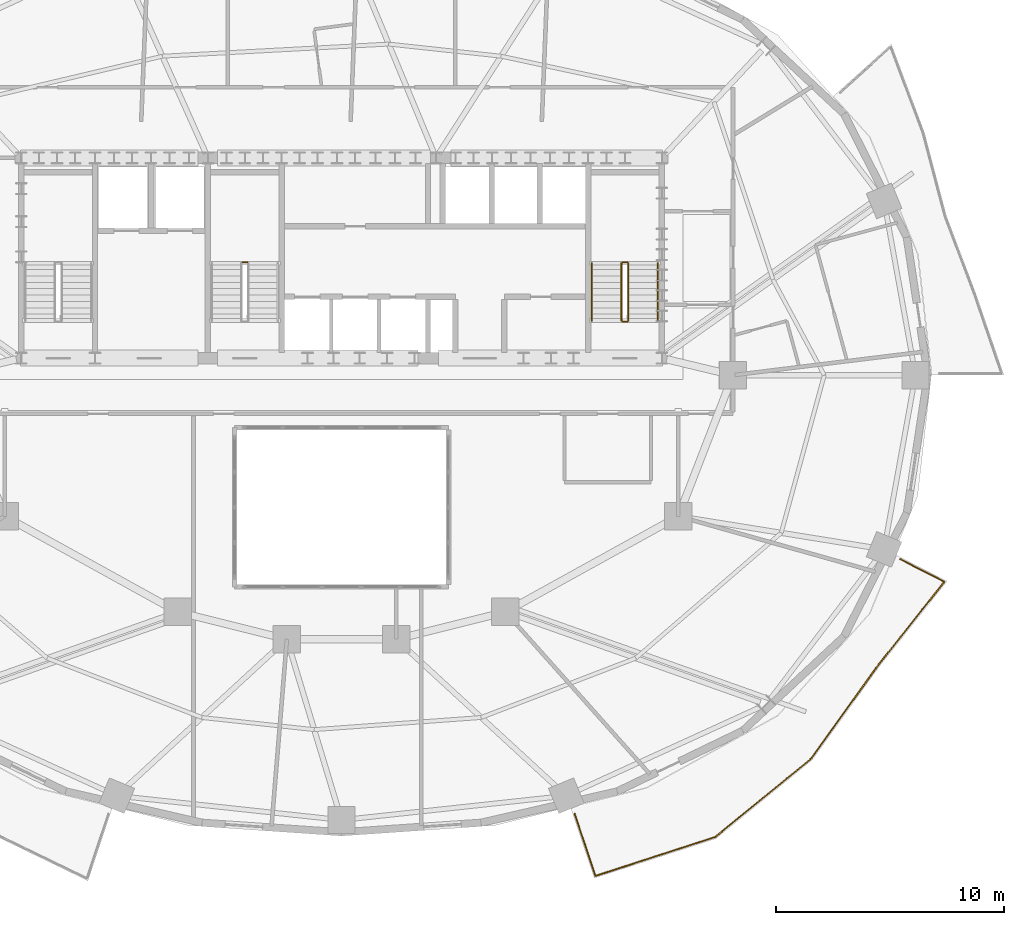
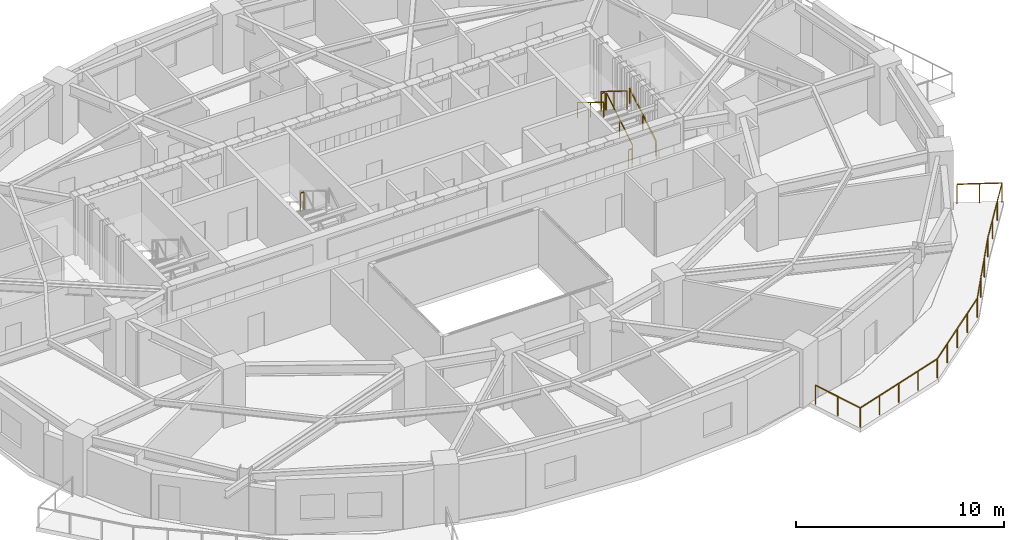
# One storey, part 12 of 13: 8 railings.
"""IFC4 building model written with IfcOpenShell, lengths in metres."""

from ifc_helpers import new_model, si_unit, direction, frame, origin, origin_2d, place, context, subcontext, project, spatial, rectangle, extrude, material, type_object, element, save


model = new_model("IFC4")

# Units and contexts
model_context = context("Model", 3, precision=1e-05, world=origin(), true_north=direction((0.0, 1.0)))
body_context = subcontext(model_context, "Body", "Model", "MODEL_VIEW")
ifc_project = project(units=[si_unit("LENGTHUNIT", "METRE"), si_unit("AREAUNIT", "SQUARE_METRE"), si_unit("VOLUMEUNIT", "CUBIC_METRE"), si_unit("PLANEANGLEUNIT", "RADIAN"), si_unit("MASSUNIT", "GRAM", prefix="KILO")], contexts=[model_context])

# Site, building, storey
site_placement = place(None, origin())
site = spatial("IfcSite", under=ifc_project, at=site_placement, CompositionType="ELEMENT")
building_placement = place(site_placement, origin())
building = spatial("IfcBuilding", under=site, at=building_placement, Name="Haldorwick Loom Tower", CompositionType="ELEMENT")
storey_placement = place(building_placement, frame((0.0, 0.0, 139.10009765625)))
storey = spatial("IfcBuildingStorey", under=building, at=storey_placement, Name="L37", CompositionType="ELEMENT", Elevation=139.10009765625)

# Railings
ifc_material_1 = material(Name="Galvanized Steel CSA G40.21 350W", Category="steel")
railing_type_1 = type_object("IfcRailingType", Name="ARC-RLG-BAL115", PredefinedType="BALUSTRADE", material=ifc_material_1)
railing_1_placement = place(storey_placement, frame((60.55322265625, 17.914306640625, 0.0)))
element("IfcRailing", 1, at=railing_1_placement, inside=storey, type_object=railing_type_1, Name="L37 Outdoor Terrace Guardrail SLB-L37-BAL_SE-1", PredefinedType="BALUSTRADE", context=body_context, shape_type="SweptSolid", body=[
    extrude(rectangle(XDim=0.048095703125, YDim=0.048095703125, at=origin_2d()), frame((0.0, 0.0, 1.1259765625), z_axis=(0.890002219109, -0.45595619305, 0.0), x_axis=(0.45595619305, 0.890002219109, 0.0)), (0.0, 0.0, 1.0), 2.1728515625),
    extrude(rectangle(XDim=0.048095703125, YDim=0.048095703125, at=origin_2d()), frame((1.933837890625, -0.99072265625, 1.1259765625), z_axis=(-0.621986182745, -0.783028216908, 0.0), x_axis=(0.783028216908, -0.621986182745, 0.0)), (0.0, 0.0, 1.0), 4.65576171875),
    extrude(rectangle(XDim=0.048095703125, YDim=0.048095703125, at=origin_2d()), frame((-0.9619140625, -4.63623046875, 1.1259765625), z_axis=(-0.60971076085, -0.792623989105, 0.0), x_axis=(0.792623989105, -0.60971076085, 0.0)), (0.0, 0.0, 1.0), 0.00390625),
    extrude(rectangle(XDim=0.048095703125, YDim=0.048095703125, at=origin_2d()), frame((-0.96435546875, -4.639404296875, 1.1259765625), z_axis=(-0.583373132525, -0.812204277413, 0.0), x_axis=(0.812204277413, -0.583373132525, 0.0)), (0.0, 0.0, 1.0), 5.090087890625),
    extrude(rectangle(XDim=0.048095703125, YDim=0.048095703125, at=origin_2d()), frame((-3.933837890625, -8.773681640625, 1.1259765625), z_axis=(-0.774794820107, -0.632212770145, 0.0), x_axis=(0.632212770145, -0.774794820107, 0.0)), (0.0, 0.0, 1.0), 5.424560546875),
    extrude(rectangle(XDim=0.048095703125, YDim=0.048095703125, at=origin_2d()), frame((-8.13671875, -12.203125, 1.1259765625), z_axis=(-0.951073621426, -0.308964345236, 0.0), x_axis=(0.308964345236, -0.951073621426, 0.0)), (0.0, 0.0, 1.0), 5.532958984375),
    extrude(rectangle(XDim=0.048095703125, YDim=0.048095703125, at=origin_2d()), frame((-13.39892578125, -13.91259765625, 1.1259765625), z_axis=(-0.316839129374, 0.948479291338, 0.0), x_axis=(-0.948479291338, -0.316839129374, 0.0)), (0.0, 0.0, 1.0), 2.875),
    extrude(rectangle(XDim=0.0419921875, YDim=0.0419921875, at=origin_2d()), origin(), (0.0, 0.0, 1.0), 1.101806640625),
    extrude(rectangle(XDim=0.0419921875, YDim=0.0419921875, at=origin_2d()), frame((0.966796875, -0.495361328125, 0.0)), (0.0, 0.0, 1.0), 1.101806640625),
    extrude(rectangle(XDim=0.0419921875, YDim=0.0419921875, at=origin_2d()), frame((1.933837890625, -0.99072265625, 0.0)), (0.0, 0.0, 1.0), 1.101806640625),
    extrude(rectangle(XDim=0.0419921875, YDim=0.0419921875, at=origin_2d()), frame((0.968505859375, -2.205810546875, 0.0)), (0.0, 0.0, 1.0), 1.101806640625),
    extrude(rectangle(XDim=0.0419921875, YDim=0.0419921875, at=origin_2d()), frame((0.00341796875, -3.421142578125, 0.0)), (0.0, 0.0, 1.0), 1.101806640625),
    extrude(rectangle(XDim=0.0419921875, YDim=0.0419921875, at=origin_2d()), frame((-0.9619140625, -4.63623046875, 0.0)), (0.0, 0.0, 1.0), 1.101806640625),
    extrude(rectangle(XDim=0.0419921875, YDim=0.0419921875, at=origin_2d()), frame((-1.9541015625, -6.017578125, 0.0)), (0.0, 0.0, 1.0), 1.101806640625),
    extrude(rectangle(XDim=0.0419921875, YDim=0.0419921875, at=origin_2d()), frame((-2.944091796875, -7.3955078125, 0.0)), (0.0, 0.0, 1.0), 1.101806640625),
    extrude(rectangle(XDim=0.0419921875, YDim=0.0419921875, at=origin_2d()), frame((-3.933837890625, -8.773681640625, 0.0)), (0.0, 0.0, 1.0), 1.101806640625),
    extrude(rectangle(XDim=0.0419921875, YDim=0.0419921875, at=origin_2d()), frame((-4.984619140625, -9.631103515625, 0.0)), (0.0, 0.0, 1.0), 1.101806640625),
    extrude(rectangle(XDim=0.0419921875, YDim=0.0419921875, at=origin_2d()), frame((-6.03515625, -10.48828125, 0.0)), (0.0, 0.0, 1.0), 1.101806640625),
    extrude(rectangle(XDim=0.0419921875, YDim=0.0419921875, at=origin_2d()), frame((-7.0859375, -11.345703125, 0.0)), (0.0, 0.0, 1.0), 1.101806640625),
    extrude(rectangle(XDim=0.0419921875, YDim=0.0419921875, at=origin_2d()), frame((-8.13671875, -12.203125, 0.0)), (0.0, 0.0, 1.0), 1.101806640625),
    extrude(rectangle(XDim=0.0419921875, YDim=0.0419921875, at=origin_2d()), frame((-9.4521484375, -12.63037109375, 0.0)), (0.0, 0.0, 1.0), 1.101806640625),
    extrude(rectangle(XDim=0.0419921875, YDim=0.0419921875, at=origin_2d()), frame((-10.767822265625, -13.057861328125, 0.0)), (0.0, 0.0, 1.0), 1.101806640625),
    extrude(rectangle(XDim=0.0419921875, YDim=0.0419921875, at=origin_2d()), frame((-12.08349609375, -13.4853515625, 0.0)), (0.0, 0.0, 1.0), 1.101806640625),
    extrude(rectangle(XDim=0.0419921875, YDim=0.0419921875, at=origin_2d()), frame((-13.39892578125, -13.91259765625, 0.0)), (0.0, 0.0, 1.0), 1.101806640625),
    extrude(rectangle(XDim=0.0419921875, YDim=0.0419921875, at=origin_2d()), frame((-13.8544921875, -12.54931640625, 0.0)), (0.0, 0.0, 1.0), 1.101806640625),
    extrude(rectangle(XDim=0.0419921875, YDim=0.0419921875, at=origin_2d()), frame((-14.309814453125, -11.185791015625, 0.0)), (0.0, 0.0, 1.0), 1.101806640625),
])
ifc_material_2 = material(Name="Steel CSA G40.21 350W", Category="steel")
railing_type_2 = type_object("IfcRailingType", Name="ARC-RLG-GUARD112", PredefinedType="GUARDRAIL", material=ifc_material_2)
railing_2_placement = place(storey_placement, frame((48.60009765625, 28.39990234375, 0.17236328125)))
element("IfcRailing", 2, at=railing_2_placement, inside=storey, type_object=railing_type_2, Name="L37 ST-02 stair guard 1", PredefinedType="GUARDRAIL", context=body_context, shape_type="SweptSolid", body=[
    extrude(rectangle(XDim=0.048095703125, YDim=0.048095703125, at=origin_2d()), frame((0.0, 0.0, 1.076171875), z_axis=(0.0, 0.851400495292, 0.524516154772), x_axis=(-1.0, 0.0, 0.0)), (0.0, 0.0, 1.0), 2.9599609375),
    extrude(rectangle(XDim=0.0419921875, YDim=0.0419921875, at=origin_2d()), origin(), (0.0, 0.0, 1.0), 1.052001953125),
    extrude(rectangle(XDim=0.0419921875, YDim=0.0419921875, at=origin_2d()), frame((0.0, 1.260009765625, 0.7763671875)), (0.0, 0.0, 1.0), 1.052001953125),
    extrude(rectangle(XDim=0.0419921875, YDim=0.0419921875, at=origin_2d()), frame((0.0, 2.52001953125, 1.552490234375)), (0.0, 0.0, 1.0), 1.052001953125),
])
railing_3_placement = place(storey_placement, frame((48.550048828125, 30.969970703125, 1.724853515625)))
element("IfcRailing", 3, at=railing_3_placement, inside=storey, type_object=railing_type_2, Name="L37 ST-02 stair guard 2", PredefinedType="GUARDRAIL", context=body_context, shape_type="SweptSolid", body=[
    extrude(rectangle(XDim=0.048095703125, YDim=0.048095703125, at=origin_2d()), frame((0.0, 0.0, 1.076171875), z_axis=(-1.0, 0.0, 0.0), x_axis=(0.0, -1.0, 0.0)), (0.0, 0.0, 1.0), 0.199951171875),
    extrude(rectangle(XDim=0.0419921875, YDim=0.0419921875, at=origin_2d()), origin(), (0.0, 0.0, 1.0), 1.052001953125),
    extrude(rectangle(XDim=0.0419921875, YDim=0.0419921875, at=origin_2d()), frame((-0.199951171875, 0.0, 0.0)), (0.0, 0.0, 1.0), 1.052001953125),
])
railing_4_placement = place(storey_placement, frame((48.300048828125, 30.919921875, 1.8974609375)))
element("IfcRailing", 4, at=railing_4_placement, inside=storey, type_object=railing_type_2, Name="L37 ST-02 stair guard 3", PredefinedType="GUARDRAIL", context=body_context, shape_type="SweptSolid", body=[
    extrude(rectangle(XDim=0.048095703125, YDim=0.048095703125, at=origin_2d()), frame((0.0, 0.0, 1.076171875), z_axis=(0.0, -0.851400495292, 0.524516154772), x_axis=(1.0, 0.0, 0.0)), (0.0, 0.0, 1.0), 2.9599609375),
    extrude(rectangle(XDim=0.0419921875, YDim=0.0419921875, at=origin_2d()), origin(), (0.0, 0.0, 1.0), 1.052001953125),
    extrude(rectangle(XDim=0.0419921875, YDim=0.0419921875, at=origin_2d()), frame((0.0, -1.260009765625, 0.7763671875)), (0.0, 0.0, 1.0), 1.052001953125),
    extrude(rectangle(XDim=0.0419921875, YDim=0.0419921875, at=origin_2d()), frame((0.0, -2.52001953125, 1.552490234375)), (0.0, 0.0, 1.0), 1.052001953125),
])
railing_5_placement = place(storey_placement, frame((48.550048828125, 28.35009765625, 0.0)))
element("IfcRailing", 5, at=railing_5_placement, inside=storey, type_object=railing_type_2, Name="L37 ST-02 stair guard 4", PredefinedType="GUARDRAIL", context=body_context, shape_type="SweptSolid", body=[
    extrude(rectangle(XDim=0.048095703125, YDim=0.048095703125, at=origin_2d()), frame((0.0, 0.0, 1.076171875), z_axis=(-1.0, 0.0, 0.0), x_axis=(0.0, -1.0, 0.0)), (0.0, 0.0, 1.0), 0.199951171875),
    extrude(rectangle(XDim=0.0419921875, YDim=0.0419921875, at=origin_2d()), origin(), (0.0, 0.0, 1.0), 1.052001953125),
    extrude(rectangle(XDim=0.0419921875, YDim=0.0419921875, at=origin_2d()), frame((-0.199951171875, 0.0, 0.0)), (0.0, 0.0, 1.0), 1.052001953125),
])
railing_6_placement = place(storey_placement, frame((31.85009765625, 30.969970703125, 1.724853515625)))
element("IfcRailing", 6, at=railing_6_placement, inside=storey, type_object=railing_type_2, Name="L37 ST-03 stair guard 2", PredefinedType="GUARDRAIL", context=body_context, shape_type="SweptSolid", body=[
    extrude(rectangle(XDim=0.048095703125, YDim=0.048095703125, at=origin_2d()), frame((0.0, 0.0, 1.076171875), z_axis=(-1.0, 0.0, 0.0), x_axis=(0.0, -1.0, 0.0)), (0.0, 0.0, 1.0), 0.2001953125),
    extrude(rectangle(XDim=0.0419921875, YDim=0.0419921875, at=origin_2d()), origin(), (0.0, 0.0, 1.0), 1.052001953125),
    extrude(rectangle(XDim=0.0419921875, YDim=0.0419921875, at=origin_2d()), frame((-0.2001953125, 0.0, 0.0)), (0.0, 0.0, 1.0), 1.052001953125),
])
railing_type_3 = type_object("IfcRailingType", Name="ARC-RLG-HAND092", PredefinedType="HANDRAIL", material=ifc_material_2)
railing_7_placement = place(storey_placement, frame((49.89990234375, 28.39990234375, 0.17236328125)))
element("IfcRailing", 7, at=railing_7_placement, inside=storey, type_object=railing_type_3, Name="L37 ST-02 stair handrail 1", PredefinedType="HANDRAIL", context=body_context, shape_type="SweptSolid", body=[
    extrude(rectangle(XDim=0.048095703125, YDim=0.048095703125, at=origin_2d()), frame((0.0, 0.0, 0.8759765625), z_axis=(0.0, 0.851400495292, 0.524516154772), x_axis=(-1.0, 0.0, 0.0)), (0.0, 0.0, 1.0), 2.9599609375),
    extrude(rectangle(XDim=0.0419921875, YDim=0.0419921875, at=origin_2d()), origin(), (0.0, 0.0, 1.0), 0.851806640625),
    extrude(rectangle(XDim=0.0419921875, YDim=0.0419921875, at=origin_2d()), frame((0.0, 1.260009765625, 0.7763671875)), (0.0, 0.0, 1.0), 0.851806640625),
    extrude(rectangle(XDim=0.0419921875, YDim=0.0419921875, at=origin_2d()), frame((0.0, 2.52001953125, 1.552490234375)), (0.0, 0.0, 1.0), 0.851806640625),
])
railing_8_placement = place(storey_placement, frame((47.0, 30.919921875, 1.8974609375)))
element("IfcRailing", 8, at=railing_8_placement, inside=storey, type_object=railing_type_3, Name="L37 ST-02 stair handrail 2", PredefinedType="HANDRAIL", context=body_context, shape_type="SweptSolid", body=[
    extrude(rectangle(XDim=0.048095703125, YDim=0.048095703125, at=origin_2d()), frame((0.0, 0.0, 0.8759765625), z_axis=(0.0, -0.851400495292, 0.524516154772), x_axis=(1.0, 0.0, 0.0)), (0.0, 0.0, 1.0), 2.9599609375),
    extrude(rectangle(XDim=0.0419921875, YDim=0.0419921875, at=origin_2d()), origin(), (0.0, 0.0, 1.0), 0.851806640625),
    extrude(rectangle(XDim=0.0419921875, YDim=0.0419921875, at=origin_2d()), frame((0.0, -1.260009765625, 0.7763671875)), (0.0, 0.0, 1.0), 0.851806640625),
    extrude(rectangle(XDim=0.0419921875, YDim=0.0419921875, at=origin_2d()), frame((0.0, -2.52001953125, 1.552490234375)), (0.0, 0.0, 1.0), 0.851806640625),
])

save(model, "model.ifc")
